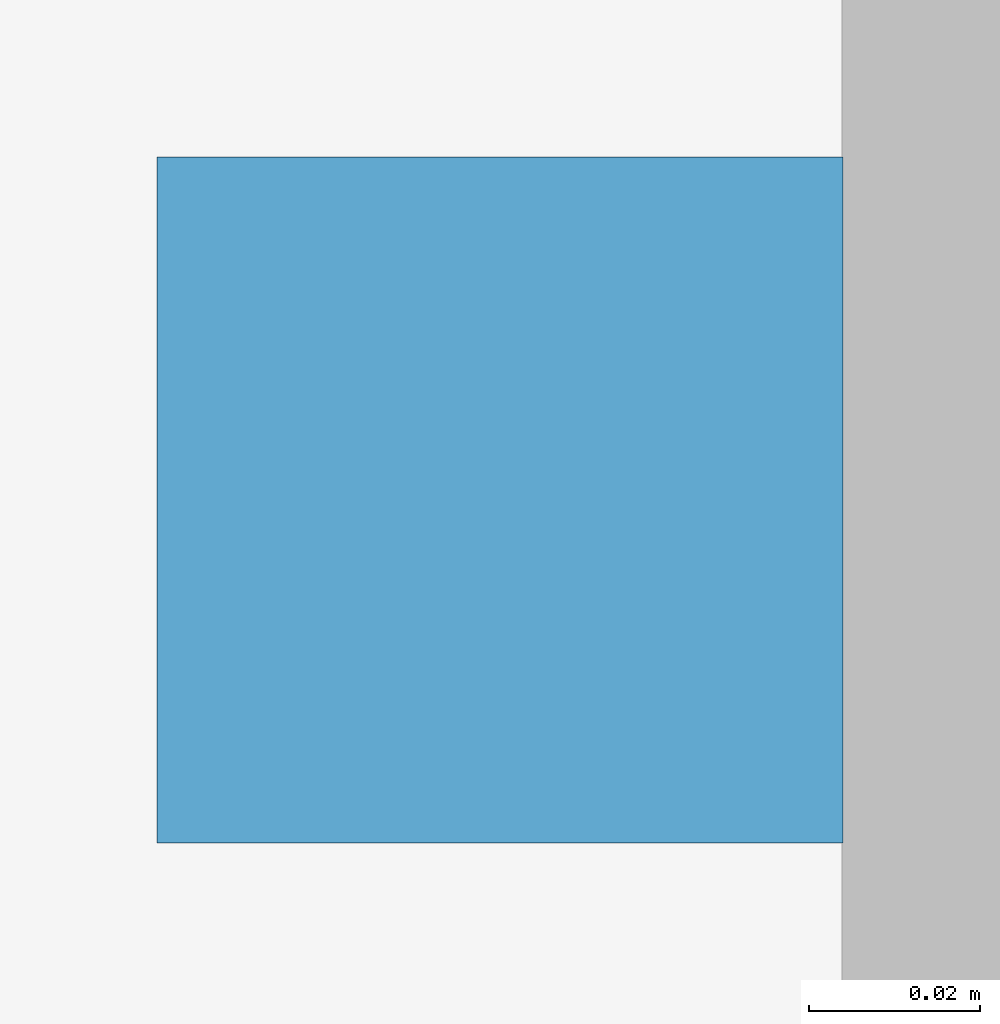
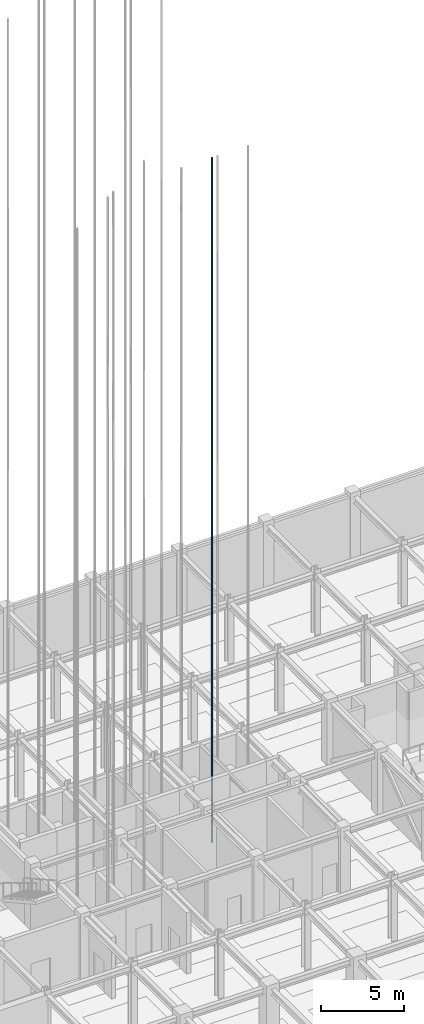
# One storey, part 65 of 69: 1 discrete accessory.
"""IFC4 building model written with IfcOpenShell, lengths in metres."""

from ifc_helpers import new_model, si_unit, direction, frame, origin, origin_2d, place, context, subcontext, project, spatial, rectangle, extrude, material, type_object, element, save


model = new_model("IFC4")

# Units and contexts
model_context = context("Model", 3, precision=1e-05, world=origin(), true_north=direction((0.0, 1.0)))
body_context = subcontext(model_context, "Body", "Model", "MODEL_VIEW")
ifc_project = project(units=[si_unit("LENGTHUNIT", "METRE"), si_unit("AREAUNIT", "SQUARE_METRE"), si_unit("VOLUMEUNIT", "CUBIC_METRE"), si_unit("PLANEANGLEUNIT", "RADIAN"), si_unit("MASSUNIT", "GRAM", prefix="KILO")], contexts=[model_context])

# Site, building, storey
site_placement = place(None, origin())
site = spatial("IfcSite", under=ifc_project, at=site_placement, CompositionType="ELEMENT")
building_placement = place(site_placement, origin())
building = spatial("IfcBuilding", under=site, at=building_placement, Name="Zlatovratsky Civic Hall", CompositionType="ELEMENT")
storey_placement = place(building_placement, frame((0.0, 0.0, -4.800048828125)))
storey = spatial("IfcBuildingStorey", under=building, at=storey_placement, Name="B1", CompositionType="ELEMENT", Elevation=-4.800048828125)

# Discrete accessory
ifc_material = material(Name="Steel S355", Category="steel")
discrete_accessory_type = type_object("IfcDiscreteAccessoryType", Name="Lift_GuideRail", PredefinedType="USERDEFINED", material=ifc_material)
discrete_accessory_placement = place(storey_placement, frame((86.81005859375, 94.14990234375, -1.60009765625), z_axis=(0.0, 0.0, 1.0), x_axis=(1.0, 0.0, 0.0)))
element("IfcDiscreteAccessory", 1, at=discrete_accessory_placement, inside=storey, type_object=discrete_accessory_type, Name="Lift Guide Rail LP-05 R", ObjectType="GUIDE RAIL", PredefinedType="USERDEFINED", context=body_context, shape_type="SweptSolid", body=[
    extrude(rectangle(XDim=0.080078125, YDim=0.080078125, at=origin_2d()), origin(), (0.0, 0.0, 1.0), 50.10009765625),
])

save(model, "model.ifc")
